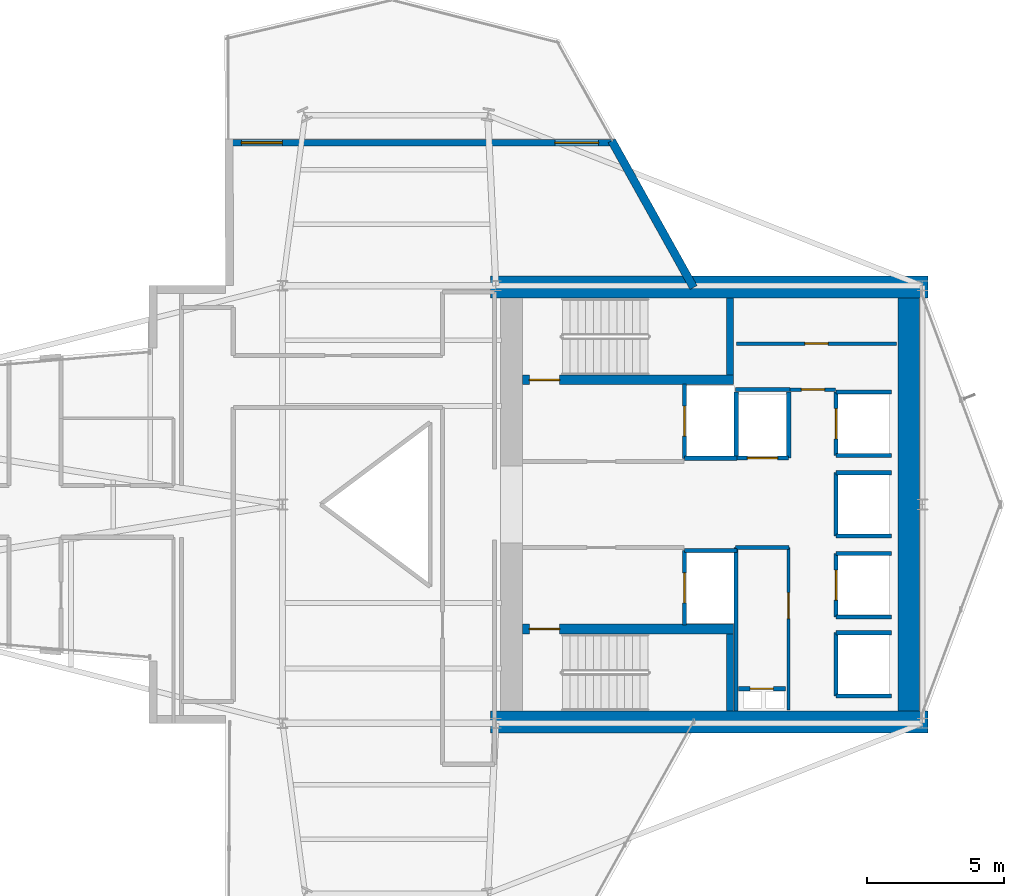
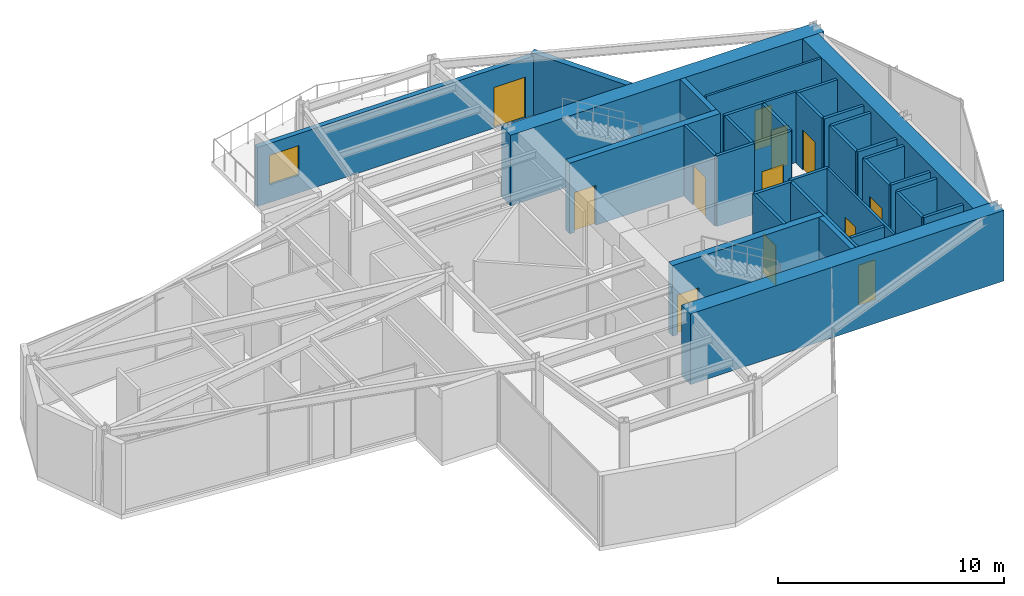
# One storey, part 20 of 23: 35 walls, 12 doors, 1 window, 13 openings.
"""IFC4 building model written with IfcOpenShell, lengths in metres."""

from ifc_helpers import new_model, si_unit, direction, frame, frame_2d, origin, place, context, subcontext, project, spatial, rectangle, extrude, material, layer, layer_set, type_object, element, fill, save


model = new_model("IFC4")

# Units and contexts
model_context = context("Model", 3, precision=1e-05, world=origin(), true_north=direction((0.0, 1.0)))
body_context = subcontext(model_context, "Body", "Model", "MODEL_VIEW")
ifc_project = project(units=[si_unit("LENGTHUNIT", "METRE"), si_unit("AREAUNIT", "SQUARE_METRE"), si_unit("VOLUMEUNIT", "CUBIC_METRE"), si_unit("PLANEANGLEUNIT", "RADIAN"), si_unit("MASSUNIT", "GRAM", prefix="KILO")], contexts=[model_context])

# Site, building, storey
site_placement = place(None, origin())
site = spatial("IfcSite", under=ifc_project, at=site_placement, CompositionType="ELEMENT")
building_placement = place(site_placement, origin())
building = spatial("IfcBuilding", under=site, at=building_placement, Name="Veymaron Broadcast Tower", CompositionType="ELEMENT")
storey_placement = place(building_placement, frame((0.0, 0.0, 161.39990234375)))
storey = spatial("IfcBuildingStorey", under=building, at=storey_placement, Name="L37", CompositionType="ELEMENT", Elevation=161.39990234375)

# Wall, openings, door, window
ifc_material_1 = material(Name="Precast concrete C40/50", Category="concrete")
ifc_layer_1 = layer(ifc_material_1, 0.25)
ifc_layer_set_1 = layer_set([ifc_layer_1], Name="Precast concrete C40/50")
wall_type_1 = type_object("IfcWallType", Name="WALL-EXT-250", PredefinedType="STANDARD", material=ifc_layer_set_1)
wall_1_placement = place(storey_placement, frame((43.35986328125, 37.22607421875, 0.0), z_axis=(0.0, 0.0, 1.0), x_axis=(-1.0, 0.0, 0.0)))
wall_1 = element("IfcWall", 1, at=wall_1_placement, inside=storey, type_object=wall_type_1, Name="L37 sky-terrace threshold wall", PredefinedType="STANDARD", context=body_context, shape_type="SweptSolid", body=[
    extrude(rectangle(XDim=14.260498046875, YDim=0.25, at=frame_2d((7.13037109375, 0.0))), origin(), (0.0, 0.0, 1.0), 3.190185546875),
])
opening_1_placement = place(wall_1_placement, frame((0.60009765625, 0.0, 0.0)))
opening_1 = element("IfcOpeningElement", 2, at=opening_1_placement, cuts=wall_1, Name="Opening ED-TR1", PredefinedType="OPENING", context=body_context, shape_type="SweptSolid", body=[
    extrude(rectangle(XDim=1.60009765625, YDim=2.199951171875, at=frame_2d((0.800048828125, 1.10009765625))), frame((0.0, 0.135009765625, 0.0), z_axis=(0.0, -1.0, 0.0), x_axis=(1.0, 0.0, 0.0)), (0.0, 0.0, 1.0), 0.27001953125),
])
opening_2_placement = place(wall_1_placement, frame((12.160888671875, 0.0, 0.949951171875)))
opening_2 = element("IfcOpeningElement", 3, at=opening_2_placement, cuts=wall_1, Name="Opening WN2", PredefinedType="OPENING", context=body_context, shape_type="SweptSolid", body=[
    extrude(rectangle(XDim=1.5, YDim=1.60009765625, at=frame_2d((0.75, 0.800048828125))), frame((0.0, 0.135009765625, 0.0), z_axis=(0.0, -1.0, 0.0), x_axis=(1.0, 0.0, 0.0)), (0.0, 0.0, 1.0), 0.27001953125),
])
ifc_material_2 = material(Name="Thermally broken aluminium and low-E safety glass", Category="aluminium")
door_type_1 = type_object("IfcDoorType", Name="DOOR-TERR-1600", OperationType="DOUBLE_DOOR_SINGLE_SWING", PredefinedType="DOOR", material=ifc_material_2)
door_1_placement = place(opening_1_placement, frame((1.60009765625, 0.0, 0.0), z_axis=(0.0, 0.0, 1.0), x_axis=(-1.0, 0.0, 0.0)))
door_1 = element("IfcDoor", 4, at=door_1_placement, inside=storey, type_object=door_type_1, Name="L37 sky-terrace access door", OperationType="SINGLE_SWING_LEFT", OverallHeight=2.199951171875, OverallWidth=1.60009765625, PredefinedType="DOOR", context=body_context, shape_type="SweptSolid", body=[
    extrude(rectangle(XDim=1.60009765625, YDim=2.199951171875, at=frame_2d((0.800048828125, 1.10009765625))), frame((0.0, 0.02490234375, 0.0), z_axis=(0.0, -1.0, 0.0), x_axis=(1.0, 0.0, 0.0)), (0.0, 0.0, 1.0), 0.050048828125),
])
fill(opening_1, door_1)
ifc_material_3 = material(Name="Thermally broken aluminium and acoustic laminated glass", Category="aluminium")
window_type = type_object("IfcWindowType", Name="WIN-EXT-1500", PartitioningType="SINGLE_PANEL", PredefinedType="WINDOW", material=ifc_material_3)
window_placement = place(opening_2_placement, origin())
window = element("IfcWindow", 5, at=window_placement, inside=storey, type_object=window_type, Name="L37 sky-terrace viewing window", OverallHeight=1.60009765625, OverallWidth=1.5, PartitioningType="SINGLE_PANEL", PredefinedType="WINDOW", context=body_context, shape_type="SweptSolid", body=[
    extrude(rectangle(XDim=1.5, YDim=1.60009765625, at=frame_2d((0.75, 0.800048828125))), frame((0.0, 0.030029296875, 0.0), z_axis=(0.0, -1.0, 0.0), x_axis=(1.0, 0.0, 0.0)), (0.0, 0.0, 1.0), 0.06005859375),
])
fill(opening_2, window)

# Wall
ifc_material_4 = material(Name="Precast concrete C40/50 with mineral-wool insulation", Category="concrete")
ifc_layer_2 = layer(ifc_material_4, 0.300048828125)
ifc_layer_set_2 = layer_set([ifc_layer_2], Name="Precast concrete C40/50 with mineral-wool insulation")
wall_type_2 = type_object("IfcWallType", Name="WALL-EXT-300", PredefinedType="STANDARD", material=ifc_layer_set_2)
wall_2_placement = place(storey_placement, frame((46.2314453125, 31.931884765625, 0.0), z_axis=(0.0, 0.0, 1.0), x_axis=(-0.487234407079, 0.873271225083, 0.0)))
element("IfcWall", 6, at=wall_2_placement, inside=storey, type_object=wall_type_2, Name="L37 notched corner facade pier 6-1", PredefinedType="STANDARD", context=body_context, shape_type="SweptSolid", body=[
    extrude(rectangle(XDim=6.144775390625, YDim=0.300048828125, at=frame_2d((3.072265625, 0.0))), origin(), (0.0, 0.0, 1.0), 3.338134765625),
])

# Wall, opening, door
ifc_material_5 = material(Name="Gypsum fireboard and steel stud framing", Category="steel")
ifc_layer_3 = layer(ifc_material_5, 0.14990234375)
ifc_layer_set_3 = layer_set([ifc_layer_3], Name="Gypsum fireboard and steel stud framing")
wall_type_3 = type_object("IfcWallType", Name="WALL-FIRE-150", PredefinedType="PARTITIONING", material=ifc_layer_set_3)
wall_3_placement = place(storey_placement, frame((45.89501953125, 25.68994140625, 0.0), z_axis=(0.0, 0.0, 1.0), x_axis=(0.0, 1.0, 0.0)))
wall_3 = element("IfcWall", 7, at=wall_3_placement, inside=storey, type_object=wall_type_3, Name="L37 partition IW-L37-SHW-FFL-1", PredefinedType="PARTITIONING", context=body_context, shape_type="SweptSolid", body=[
    extrude(rectangle(XDim=2.719970703125, YDim=0.14990234375, at=frame_2d((1.35986328125, 0.0))), origin(), (0.0, 0.0, 1.0), 3.81005859375),
])
opening_3_placement = place(wall_3_placement, frame((0.81005859375, 0.0, 0.0)))
opening_3 = element("IfcOpeningElement", 8, at=opening_3_placement, cuts=wall_3, Name="Opening LD", PredefinedType="OPENING", context=body_context, shape_type="SweptSolid", body=[
    extrude(rectangle(XDim=1.10009765625, YDim=2.14990234375, at=frame_2d((0.550048828125, 1.074951171875))), frame((0.0, 0.0849609375, 0.0), z_axis=(0.0, -1.0, 0.0), x_axis=(1.0, 0.0, 0.0)), (0.0, 0.0, 1.0), 0.169921875),
])
ifc_material_6 = material(Name="Brushed stainless steel AISI 304", Category="steel")
door_type_2 = type_object("IfcDoorType", Name="DOOR-LIFT-1100", OperationType="DOUBLE_DOOR_SLIDING", PredefinedType="DOOR", material=ifc_material_6)
door_2_placement = place(opening_3_placement, frame((1.10009765625, 0.0, 0.0), z_axis=(0.0, 0.0, 1.0), x_axis=(-1.0, 0.0, 0.0)))
door_2 = element("IfcDoor", 9, at=door_2_placement, inside=storey, type_object=door_type_2, Name="L37 door LD-L37-FFL-1", OperationType="DOUBLE_DOOR_SLIDING", OverallHeight=2.14990234375, OverallWidth=1.10009765625, PredefinedType="DOOR", context=body_context, shape_type="SweptSolid", body=[
    extrude(rectangle(XDim=1.10009765625, YDim=2.14990234375, at=frame_2d((0.550048828125, 1.074951171875))), frame((0.0, 0.02490234375, 0.0), z_axis=(0.0, -1.0, 0.0), x_axis=(1.0, 0.0, 0.0)), (0.0, 0.0, 1.0), 0.050048828125),
])
fill(opening_3, door_2)

# Wall
wall_4_placement = place(storey_placement, frame((45.89501953125, 25.68994140625, 0.0), z_axis=(0.0, 0.0, 1.0), x_axis=(1.0, 0.0, 0.0)))
element("IfcWall", 10, at=wall_4_placement, inside=storey, type_object=wall_type_3, Name="L37 partition IW-L37-SHS-FFL-1", PredefinedType="PARTITIONING", context=body_context, shape_type="SweptSolid", body=[
    extrude(rectangle(XDim=1.9150390625, YDim=0.14990234375, at=frame_2d((0.95751953125, 0.0))), origin(), (0.0, 0.0, 1.0), 3.81005859375),
])

# Wall, opening, door
wall_5_placement = place(storey_placement, frame((45.89501953125, 19.590087890625, 0.0), z_axis=(0.0, 0.0, 1.0), x_axis=(0.0, 1.0, 0.0)))
wall_5 = element("IfcWall", 11, at=wall_5_placement, inside=storey, type_object=wall_type_3, Name="L37 partition IW-L37-SHW-FFL-2", PredefinedType="PARTITIONING", context=body_context, shape_type="SweptSolid", body=[
    extrude(rectangle(XDim=2.719970703125, YDim=0.14990234375, at=frame_2d((1.35986328125, 0.0))), origin(), (0.0, 0.0, 1.0), 3.81005859375),
])
opening_4_placement = place(wall_5_placement, frame((0.81005859375, 0.0, 0.0)))
opening_4 = element("IfcOpeningElement", 12, at=opening_4_placement, cuts=wall_5, Name="Opening LD", PredefinedType="OPENING", context=body_context, shape_type="SweptSolid", body=[
    extrude(rectangle(XDim=1.10009765625, YDim=2.14990234375, at=frame_2d((0.550048828125, 1.074951171875))), frame((0.0, 0.0849609375, 0.0), z_axis=(0.0, -1.0, 0.0), x_axis=(1.0, 0.0, 0.0)), (0.0, 0.0, 1.0), 0.169921875),
])
door_3_placement = place(opening_4_placement, frame((1.10009765625, 0.0, 0.0), z_axis=(0.0, 0.0, 1.0), x_axis=(-1.0, 0.0, 0.0)))
door_3 = element("IfcDoor", 13, at=door_3_placement, inside=storey, type_object=door_type_2, Name="L37 door LD-L37-FFL-2", OperationType="DOUBLE_DOOR_SLIDING", OverallHeight=2.14990234375, OverallWidth=1.10009765625, PredefinedType="DOOR", context=body_context, shape_type="SweptSolid", body=[
    extrude(rectangle(XDim=1.10009765625, YDim=2.14990234375, at=frame_2d((0.550048828125, 1.074951171875))), frame((0.0, 0.02490234375, 0.0), z_axis=(0.0, -1.0, 0.0), x_axis=(1.0, 0.0, 0.0)), (0.0, 0.0, 1.0), 0.050048828125),
])
fill(opening_4, door_3)

# Wall
wall_6_placement = place(storey_placement, frame((45.89501953125, 22.31005859375, 0.0), z_axis=(0.0, 0.0, 1.0), x_axis=(1.0, 0.0, 0.0)))
element("IfcWall", 14, at=wall_6_placement, inside=storey, type_object=wall_type_3, Name="L37 partition IW-L37-SHN-FFL-2", PredefinedType="PARTITIONING", context=body_context, shape_type="SweptSolid", body=[
    extrude(rectangle(XDim=1.9150390625, YDim=0.14990234375, at=frame_2d((0.95751953125, 0.0))), origin(), (0.0, 0.0, 1.0), 3.81005859375),
])

# Wall, opening, door
wall_7_placement = place(storey_placement, frame((47.7900390625, 25.695068359375, 0.0), z_axis=(0.0, 0.0, 1.0), x_axis=(1.0, 0.0, 0.0)))
wall_7 = element("IfcWall", 15, at=wall_7_placement, inside=storey, type_object=wall_type_3, Name="L37 partition IW-L37-SHS-SL-1", PredefinedType="PARTITIONING", context=body_context, shape_type="SweptSolid", body=[
    extrude(rectangle(XDim=1.919921875, YDim=0.14990234375, at=frame_2d((0.9599609375, 0.0))), origin(), (0.0, 0.0, 1.0), 3.81005859375),
])
opening_5_placement = place(wall_7_placement, frame((0.409912109375, 0.0, 0.0)))
opening_5 = element("IfcOpeningElement", 16, at=opening_5_placement, cuts=wall_7, Name="Opening LD", PredefinedType="OPENING", context=body_context, shape_type="SweptSolid", body=[
    extrude(rectangle(XDim=1.10009765625, YDim=2.14990234375, at=frame_2d((0.550048828125, 1.074951171875))), frame((0.0, 0.0849609375, 0.0), z_axis=(0.0, -1.0, 0.0), x_axis=(1.0, 0.0, 0.0)), (0.0, 0.0, 1.0), 0.169921875),
])
door_4_placement = place(opening_5_placement, frame((1.10009765625, 0.0, 0.0), z_axis=(0.0, 0.0, 1.0), x_axis=(-1.0, 0.0, 0.0)))
door_4 = element("IfcDoor", 17, at=door_4_placement, inside=storey, type_object=door_type_2, Name="L37 door LD-L37-SL-1", OperationType="DOUBLE_DOOR_SLIDING", OverallHeight=2.14990234375, OverallWidth=1.10009765625, PredefinedType="DOOR", context=body_context, shape_type="SweptSolid", body=[
    extrude(rectangle(XDim=1.10009765625, YDim=2.14990234375, at=frame_2d((0.550048828125, 1.074951171875))), frame((0.0, 0.02490234375, 0.0), z_axis=(0.0, -1.0, 0.0), x_axis=(1.0, 0.0, 0.0)), (0.0, 0.0, 1.0), 0.050048828125),
])
fill(opening_5, door_4)

# Walls
for number, where, z_axis, x_axis, name in (
    (18, (47.7900390625, 25.695068359375, 0.0), (0.0, 0.0, 1.0), (0.0, 1.0, 0.0), "L37 partition IW-L37-SHW-SL-1"),
    (19, (49.7099609375, 25.695068359375, 0.0), (0.0, 0.0, 1.0), (0.0, 1.0, 0.0), "L37 partition IW-L37-SHE-SL-1"),
):
    element("IfcWall", number, at=place(storey_placement, frame(where, z_axis=z_axis, x_axis=x_axis)), inside=storey, type_object=wall_type_3, Name=name, PredefinedType="PARTITIONING", context=body_context, shape_type="SweptSolid", body=[
        extrude(rectangle(XDim=2.4150390625, YDim=0.14990234375, at=frame_2d((1.20751953125, 0.0))), origin(), (0.0, 0.0, 1.0), 3.81005859375),
    ])

# Wall, opening, door
wall_8_placement = place(storey_placement, frame((51.445068359375, 25.7900390625, 0.0), z_axis=(0.0, 0.0, 1.0), x_axis=(0.0, 1.0, 0.0)))
wall_8 = element("IfcWall", 20, at=wall_8_placement, inside=storey, type_object=wall_type_3, Name="L37 partition IW-L37-SHW-PM1", PredefinedType="PARTITIONING", context=body_context, shape_type="SweptSolid", body=[
    extrude(rectangle(XDim=2.320068359375, YDim=0.14990234375, at=frame_2d((1.16015625, 0.0))), origin(), (0.0, 0.0, 1.0), 3.81005859375),
])
opening_6_placement = place(wall_8_placement, frame((0.610107421875, 0.0, 0.0)))
opening_6 = element("IfcOpeningElement", 21, at=opening_6_placement, cuts=wall_8, Name="Opening LD", PredefinedType="OPENING", context=body_context, shape_type="SweptSolid", body=[
    extrude(rectangle(XDim=1.10009765625, YDim=2.14990234375, at=frame_2d((0.550048828125, 1.074951171875))), frame((0.0, 0.0849609375, 0.0), z_axis=(0.0, -1.0, 0.0), x_axis=(1.0, 0.0, 0.0)), (0.0, 0.0, 1.0), 0.169921875),
])
door_5_placement = place(opening_6_placement, frame((1.10009765625, 0.0, 0.0), z_axis=(0.0, 0.0, 1.0), x_axis=(-1.0, 0.0, 0.0)))
door_5 = element("IfcDoor", 22, at=door_5_placement, inside=storey, type_object=door_type_2, Name="L37 door LD-L37-PM1", OperationType="DOUBLE_DOOR_SLIDING", OverallHeight=2.14990234375, OverallWidth=1.10009765625, PredefinedType="DOOR", context=body_context, shape_type="SweptSolid", body=[
    extrude(rectangle(XDim=1.10009765625, YDim=2.14990234375, at=frame_2d((0.550048828125, 1.074951171875))), frame((0.0, 0.02490234375, 0.0), z_axis=(0.0, -1.0, 0.0), x_axis=(1.0, 0.0, 0.0)), (0.0, 0.0, 1.0), 0.050048828125),
])
fill(opening_6, door_5)

# Walls
for number, where, z_axis, x_axis, name in (
    (23, (51.445068359375, 25.7900390625, 0.0), (0.0, 0.0, 1.0), (1.0, 0.0, 0.0), "L37 partition IW-L37-SHS-PM1"),
    (24, (51.445068359375, 28.110107421875, 0.0), (0.0, 0.0, 1.0), (1.0, 0.0, 0.0), "L37 partition IW-L37-SHN-PM1"),
):
    element("IfcWall", number, at=place(storey_placement, frame(where, z_axis=z_axis, x_axis=x_axis)), inside=storey, type_object=wall_type_3, Name=name, PredefinedType="PARTITIONING", context=body_context, shape_type="SweptSolid", body=[
        extrude(rectangle(XDim=2.014892578125, YDim=0.14990234375, at=frame_2d((1.00732421875, 0.0))), origin(), (0.0, 0.0, 1.0), 3.81005859375),
    ])

# Wall, opening, door
wall_9_placement = place(storey_placement, frame((51.445068359375, 19.889892578125, 0.0), z_axis=(0.0, 0.0, 1.0), x_axis=(0.0, 1.0, 0.0)))
wall_9 = element("IfcWall", 25, at=wall_9_placement, inside=storey, type_object=wall_type_3, Name="L37 partition IW-L37-SHW-PM2", PredefinedType="PARTITIONING", context=body_context, shape_type="SweptSolid", body=[
    extrude(rectangle(XDim=2.320068359375, YDim=0.14990234375, at=frame_2d((1.16015625, 0.0))), origin(), (0.0, 0.0, 1.0), 3.81005859375),
])
opening_7_placement = place(wall_9_placement, frame((0.610107421875, 0.0, 0.0)))
opening_7 = element("IfcOpeningElement", 26, at=opening_7_placement, cuts=wall_9, Name="Opening LD", PredefinedType="OPENING", context=body_context, shape_type="SweptSolid", body=[
    extrude(rectangle(XDim=1.10009765625, YDim=2.14990234375, at=frame_2d((0.550048828125, 1.074951171875))), frame((0.0, 0.0849609375, 0.0), z_axis=(0.0, -1.0, 0.0), x_axis=(1.0, 0.0, 0.0)), (0.0, 0.0, 1.0), 0.169921875),
])
door_6_placement = place(opening_7_placement, frame((1.10009765625, 0.0, 0.0), z_axis=(0.0, 0.0, 1.0), x_axis=(-1.0, 0.0, 0.0)))
door_6 = element("IfcDoor", 27, at=door_6_placement, inside=storey, type_object=door_type_2, Name="L37 door LD-L37-PM2", OperationType="DOUBLE_DOOR_SLIDING", OverallHeight=2.14990234375, OverallWidth=1.10009765625, PredefinedType="DOOR", context=body_context, shape_type="SweptSolid", body=[
    extrude(rectangle(XDim=1.10009765625, YDim=2.14990234375, at=frame_2d((0.550048828125, 1.074951171875))), frame((0.0, 0.02490234375, 0.0), z_axis=(0.0, -1.0, 0.0), x_axis=(1.0, 0.0, 0.0)), (0.0, 0.0, 1.0), 0.050048828125),
])
fill(opening_7, door_6)

# Walls
for number, where, z_axis, x_axis, name in (
    (28, (51.445068359375, 19.889892578125, 0.0), (0.0, 0.0, 1.0), (1.0, 0.0, 0.0), "L37 partition IW-L37-SHS-PM2"),
    (29, (51.445068359375, 22.2099609375, 0.0), (0.0, 0.0, 1.0), (1.0, 0.0, 0.0), "L37 partition IW-L37-SHN-PM2"),
):
    element("IfcWall", number, at=place(storey_placement, frame(where, z_axis=z_axis, x_axis=x_axis)), inside=storey, type_object=wall_type_3, Name=name, PredefinedType="PARTITIONING", context=body_context, shape_type="SweptSolid", body=[
        extrude(rectangle(XDim=2.014892578125, YDim=0.14990234375, at=frame_2d((1.00732421875, 0.0))), origin(), (0.0, 0.0, 1.0), 3.81005859375),
    ])
wall_10_placement = place(storey_placement, frame((51.445068359375, 22.840087890625, 0.0), z_axis=(0.0, 0.0, 1.0), x_axis=(0.0, 1.0, 0.0)))
element("IfcWall", 30, at=wall_10_placement, inside=storey, type_object=wall_type_3, Name="L37 partition IW-L37-SHW-PM3", PredefinedType="PARTITIONING", context=body_context, shape_type="SweptSolid", body=[
    extrude(rectangle(XDim=2.31982421875, YDim=0.14990234375, at=frame_2d((1.159912109375, 0.0))), origin(), (0.0, 0.0, 1.0), 3.81005859375),
])
for number, where, z_axis, x_axis, name in (
    (31, (51.445068359375, 22.840087890625, 0.0), (0.0, 0.0, 1.0), (1.0, 0.0, 0.0), "L37 partition IW-L37-SHS-PM3"),
    (32, (51.445068359375, 25.159912109375, 0.0), (0.0, 0.0, 1.0), (1.0, 0.0, 0.0), "L37 partition IW-L37-SHN-PM3"),
):
    element("IfcWall", number, at=place(storey_placement, frame(where, z_axis=z_axis, x_axis=x_axis)), inside=storey, type_object=wall_type_3, Name=name, PredefinedType="PARTITIONING", context=body_context, shape_type="SweptSolid", body=[
        extrude(rectangle(XDim=2.014892578125, YDim=0.14990234375, at=frame_2d((1.00732421875, 0.0))), origin(), (0.0, 0.0, 1.0), 3.81005859375),
    ])
wall_11_placement = place(storey_placement, frame((51.445068359375, 16.989990234375, 0.0), z_axis=(0.0, 0.0, 1.0), x_axis=(0.0, 1.0, 0.0)))
element("IfcWall", 33, at=wall_11_placement, inside=storey, type_object=wall_type_3, Name="L37 partition IW-L37-SHW-PH1", PredefinedType="PARTITIONING", context=body_context, shape_type="SweptSolid", body=[
    extrude(rectangle(XDim=2.320068359375, YDim=0.14990234375, at=frame_2d((1.16015625, 0.0))), origin(), (0.0, 0.0, 1.0), 3.81005859375),
])
for number, where, z_axis, x_axis, name in (
    (34, (51.445068359375, 16.989990234375, 0.0), (0.0, 0.0, 1.0), (1.0, 0.0, 0.0), "L37 partition IW-L37-SHS-PH1"),
    (35, (51.445068359375, 19.31005859375, 0.0), (0.0, 0.0, 1.0), (1.0, 0.0, 0.0), "L37 partition IW-L37-SHN-PH1"),
):
    element("IfcWall", number, at=place(storey_placement, frame(where, z_axis=z_axis, x_axis=x_axis)), inside=storey, type_object=wall_type_3, Name=name, PredefinedType="PARTITIONING", context=body_context, shape_type="SweptSolid", body=[
        extrude(rectangle(XDim=2.014892578125, YDim=0.14990234375, at=frame_2d((1.00732421875, 0.0))), origin(), (0.0, 0.0, 1.0), 3.81005859375),
    ])

# Wall, opening, door
wall_12_placement = place(storey_placement, frame((47.8798828125, 17.260009765625, 0.0), z_axis=(0.0, 0.0, 1.0), x_axis=(1.0, 0.0, 0.0)))
wall_12 = element("IfcWall", 36, at=wall_12_placement, inside=storey, type_object=wall_type_3, Name="L37 partition IW-L37-RIS-N", PredefinedType="PARTITIONING", context=body_context, shape_type="SweptSolid", body=[
    extrude(rectangle(XDim=1.72021484375, YDim=0.14990234375, at=frame_2d((0.860107421875, 0.0))), origin(), (0.0, 0.0, 1.0), 3.81005859375),
])
opening_8_placement = place(wall_12_placement, frame((0.419921875, 0.0, 0.0)))
opening_8 = element("IfcOpeningElement", 37, at=opening_8_placement, cuts=wall_12, Name="Opening ID-RS1", PredefinedType="OPENING", context=body_context, shape_type="SweptSolid", body=[
    extrude(rectangle(XDim=0.85009765625, YDim=2.14990234375, at=frame_2d((0.425048828125, 1.074951171875))), frame((0.0, 0.0849609375, 0.0), z_axis=(0.0, -1.0, 0.0), x_axis=(1.0, 0.0, 0.0)), (0.0, 0.0, 1.0), 0.169921875),
])
ifc_material_7 = material(Name="Fire-rated powder-coated steel riser leaf", Category="steel")
door_type_3 = type_object("IfcDoorType", Name="DOOR-RIS-850", OperationType="NOTDEFINED", PredefinedType="TRAPDOOR", material=ifc_material_7)
door_7_placement = place(opening_8_placement, origin())
door_7 = element("IfcDoor", 38, at=door_7_placement, inside=storey, type_object=door_type_3, Name="L37 door DR-L37-RIS", OperationType="SINGLE_SWING_LEFT", OverallHeight=2.14990234375, OverallWidth=0.85009765625, PredefinedType="TRAPDOOR", context=body_context, shape_type="SweptSolid", body=[
    extrude(rectangle(XDim=0.85009765625, YDim=2.14990234375, at=frame_2d((0.425048828125, 1.074951171875))), frame((0.0, 0.02490234375, 0.0), z_axis=(0.0, -1.0, 0.0), x_axis=(1.0, 0.0, 0.0)), (0.0, 0.0, 1.0), 0.050048828125),
])
fill(opening_8, door_7)

# Walls
wall_13_placement = place(storey_placement, frame((47.760009765625, 22.425048828125, 0.0), z_axis=(0.0, 0.0, 1.0), x_axis=(1.0, 0.0, 0.0)))
element("IfcWall", 39, at=wall_13_placement, inside=storey, type_object=wall_type_3, Name="L37 partition IW-L37-SM-N", PredefinedType="PARTITIONING", context=body_context, shape_type="SweptSolid", body=[
    extrude(rectangle(XDim=1.9599609375, YDim=0.14990234375, at=frame_2d((0.97998046875, 0.0))), origin(), (0.0, 0.0, 1.0), 3.81005859375),
])
wall_14_placement = place(storey_placement, frame((47.780029296875, 16.449951171875, 0.0), z_axis=(0.0, 0.0, 1.0), x_axis=(0.0, 1.0, 0.0)))
element("IfcWall", 40, at=wall_14_placement, inside=storey, type_object=wall_type_3, Name="L37 partition IW-L37-SM-W", PredefinedType="PARTITIONING", context=body_context, shape_type="SweptSolid", body=[
    extrude(rectangle(XDim=5.97509765625, YDim=0.14990234375, at=frame_2d((2.987548828125, 0.0))), origin(), (0.0, 0.0, 1.0), 3.81005859375),
])
wall_15_placement = place(storey_placement, frame((47.760009765625, 28.199951171875, 0.0), z_axis=(0.0, 0.0, 1.0), x_axis=(1.0, 0.0, 0.0)))
element("IfcWall", 41, at=wall_15_placement, inside=storey, type_object=wall_type_3, Name="L37 partition IW-L37-F1-SW", PredefinedType="PARTITIONING", context=body_context, shape_type="SweptSolid", body=[
    extrude(rectangle(XDim=1.989990234375, YDim=0.14990234375, at=frame_2d((0.9951171875, 0.0))), origin(), (0.0, 0.0, 1.0), 3.81005859375),
])

# Wall, opening, door
ifc_material_8 = material(Name="Acoustic gypsum board and galvanized stud", Category="gypsum")
ifc_layer_4 = layer(ifc_material_8, 0.1201171875)
ifc_layer_set_4 = layer_set([ifc_layer_4], Name="Acoustic gypsum board and galvanized stud")
wall_type_4 = type_object("IfcWallType", Name="WALL-PART-120", PredefinedType="PARTITIONING", material=ifc_layer_set_4)
wall_16_placement = place(storey_placement, frame((49.699951171875, 16.47998046875, 0.0), z_axis=(0.0, 0.0, 1.0), x_axis=(0.0, 1.0, 0.0)))
wall_16 = element("IfcWall", 42, at=wall_16_placement, inside=storey, type_object=wall_type_4, Name="L37 partition IW-L37-SM-E", PredefinedType="PARTITIONING", context=body_context, shape_type="SweptSolid", body=[
    extrude(rectangle(XDim=5.945068359375, YDim=0.1201171875, at=frame_2d((2.97265625, 0.0))), origin(), (0.0, 0.0, 1.0), 3.81005859375),
])
opening_9_placement = place(wall_16_placement, frame((3.35009765625, 0.0, 0.0)))
opening_9 = element("IfcOpeningElement", 43, at=opening_9_placement, cuts=wall_16, Name="Opening ID-RM1", PredefinedType="OPENING", context=body_context, shape_type="SweptSolid", body=[
    extrude(rectangle(XDim=0.949951171875, YDim=2.14990234375, at=frame_2d((0.47509765625, 1.074951171875))), frame((0.0, 0.070068359375, 0.0), z_axis=(0.0, -1.0, 0.0), x_axis=(1.0, 0.0, 0.0)), (0.0, 0.0, 1.0), 0.14013671875),
])
ifc_material_9 = material(Name="Acoustic solid-core European oak veneer timber", Category="wood")
door_type_4 = type_object("IfcDoorType", Name="DOOR-INT-950", OperationType="NOTDEFINED", PredefinedType="DOOR", material=ifc_material_9)
door_8_placement = place(opening_9_placement, frame((0.949951171875, 0.0, 0.0), z_axis=(0.0, 0.0, 1.0), x_axis=(-1.0, 0.0, 0.0)))
door_8 = element("IfcDoor", 44, at=door_8_placement, inside=storey, type_object=door_type_4, Name="L37 door DR-L37-AWC", OperationType="SINGLE_SWING_LEFT", OverallHeight=2.14990234375, OverallWidth=0.949951171875, PredefinedType="DOOR", context=body_context, shape_type="SweptSolid", body=[
    extrude(rectangle(XDim=0.949951171875, YDim=2.14990234375, at=frame_2d((0.47509765625, 1.074951171875))), frame((0.0, 0.02490234375, 0.0), z_axis=(0.0, -1.0, 0.0), x_axis=(1.0, 0.0, 0.0)), (0.0, 0.0, 1.0), 0.050048828125),
])
fill(opening_9, door_8)

wall_17_placement = place(storey_placement, frame((49.75, 28.199951171875, 0.0), z_axis=(0.0, 0.0, 1.0), x_axis=(1.0, 0.0, 0.0)))
wall_17 = element("IfcWall", 45, at=wall_17_placement, inside=storey, type_object=wall_type_4, Name="L37 partition IW-L37-F1-S", PredefinedType="PARTITIONING", context=body_context, shape_type="SweptSolid", body=[
    extrude(rectangle(XDim=1.669921875, YDim=0.1201171875, at=frame_2d((0.8349609375, 0.0))), origin(), (0.0, 0.0, 1.0), 3.81005859375),
])
opening_10_placement = place(wall_17_placement, frame((0.419921875, 0.0, 0.0)))
opening_10 = element("IfcOpeningElement", 46, at=opening_10_placement, cuts=wall_17, Name="Opening ID-WC1", PredefinedType="OPENING", context=body_context, shape_type="SweptSolid", body=[
    extrude(rectangle(XDim=0.85009765625, YDim=2.14990234375, at=frame_2d((0.425048828125, 1.074951171875))), frame((0.0, 0.070068359375, 0.0), z_axis=(0.0, -1.0, 0.0), x_axis=(1.0, 0.0, 0.0)), (0.0, 0.0, 1.0), 0.14013671875),
])
ifc_material_10 = material(Name="Moisture-resistant high-pressure laminate timber", Category="wood")
door_type_5 = type_object("IfcDoorType", Name="DOOR-INT-850", OperationType="NOTDEFINED", PredefinedType="DOOR", material=ifc_material_10)
door_9_placement = place(opening_10_placement, origin())
door_9 = element("IfcDoor", 47, at=door_9_placement, inside=storey, type_object=door_type_5, Name="L37 door DR-L37-F1A", OperationType="SINGLE_SWING_LEFT", OverallHeight=2.14990234375, OverallWidth=0.85009765625, PredefinedType="DOOR", context=body_context, shape_type="SweptSolid", body=[
    extrude(rectangle(XDim=0.85009765625, YDim=2.14990234375, at=frame_2d((0.425048828125, 1.074951171875))), frame((0.0, 0.02490234375, 0.0), z_axis=(0.0, -1.0, 0.0), x_axis=(1.0, 0.0, 0.0)), (0.0, 0.0, 1.0), 0.050048828125),
])
fill(opening_10, door_9)

wall_18_placement = place(storey_placement, frame((47.800048828125, 29.8798828125, 0.0), z_axis=(0.0, 0.0, 1.0), x_axis=(1.0, 0.0, 0.0)))
wall_18 = element("IfcWall", 48, at=wall_18_placement, inside=storey, type_object=wall_type_4, Name="L37 partition IW-L37-F1-MY", PredefinedType="PARTITIONING", context=body_context, shape_type="SweptSolid", body=[
    extrude(rectangle(XDim=5.85986328125, YDim=0.1201171875, at=frame_2d((2.929931640625, 0.0))), origin(), (0.0, 0.0, 1.0), 3.81005859375),
])
opening_11_placement = place(wall_18_placement, frame((2.5, 0.0, 0.0)))
opening_11 = element("IfcOpeningElement", 49, at=opening_11_placement, cuts=wall_18, Name="Opening ID-WC1", PredefinedType="OPENING", context=body_context, shape_type="SweptSolid", body=[
    extrude(rectangle(XDim=0.85009765625, YDim=2.14990234375, at=frame_2d((0.425048828125, 1.074951171875))), frame((0.0, 0.070068359375, 0.0), z_axis=(0.0, -1.0, 0.0), x_axis=(1.0, 0.0, 0.0)), (0.0, 0.0, 1.0), 0.14013671875),
])
door_10_placement = place(opening_11_placement, origin())
door_10 = element("IfcDoor", 50, at=door_10_placement, inside=storey, type_object=door_type_5, Name="L37 door DR-L37-F1B", OperationType="SINGLE_SWING_RIGHT", OverallHeight=2.14990234375, OverallWidth=0.85009765625, PredefinedType="DOOR", context=body_context, shape_type="SweptSolid", body=[
    extrude(rectangle(XDim=0.85009765625, YDim=2.14990234375, at=frame_2d((0.425048828125, 1.074951171875))), frame((0.0, 0.02490234375, 0.0), z_axis=(0.0, -1.0, 0.0), x_axis=(1.0, 0.0, 0.0)), (0.0, 0.0, 1.0), 0.050048828125),
])
fill(opening_11, door_10)

# Walls
ifc_material_11 = material(Name="Concrete C50/60", Category="concrete")
ifc_layer_5 = layer(ifc_material_11, 0.25)
ifc_layer_set_5 = layer_set([ifc_layer_5], Name="Concrete C50/60")
wall_type_5 = type_object("IfcWallType", Name="WALL-SHEAR-250", PredefinedType="SHEAR", material=ifc_layer_set_5)
for number, where, z_axis, x_axis, name in (
    (51, (47.56494140625, 28.72998046875, 0.0), (0.0, 0.0, 1.0), (0.0, 1.0, 0.0), "L37 Core Wall north stair east shear"),
    (52, (47.56494140625, 16.449951171875, 0.0), (0.0, 0.0, 1.0), (0.0, 1.0, 0.0), "L37 Core Wall south stair east shear"),
):
    element("IfcWall", number, at=place(storey_placement, frame(where, z_axis=z_axis, x_axis=x_axis)), inside=storey, type_object=wall_type_5, Name=name, PredefinedType="SHEAR", context=body_context, shape_type="SweptSolid", body=[
        extrude(rectangle(XDim=2.820068359375, YDim=0.25, at=frame_2d((1.41015625, 0.0))), origin(), (0.0, 0.0, 1.0), 3.81005859375),
    ])

# Wall, opening, door
ifc_layer_6 = layer(ifc_material_11, 0.35009765625)
ifc_layer_set_6 = layer_set([ifc_layer_6], Name="Concrete C50/60")
wall_type_6 = type_object("IfcWallType", Name="WALL-SHEAR-350", PredefinedType="SHEAR", material=ifc_layer_set_6)
wall_19_placement = place(storey_placement, frame((39.97998046875, 28.554931640625, 0.0), z_axis=(0.0, 0.0, 1.0), x_axis=(1.0, 0.0, 0.0)))
wall_19 = element("IfcWall", 53, at=wall_19_placement, inside=storey, type_object=wall_type_6, Name="L37 Core Wall north stair spine", PredefinedType="SHEAR", context=body_context, shape_type="SweptSolid", body=[
    extrude(rectangle(XDim=7.7099609375, YDim=0.35009765625, at=frame_2d((3.85498046875, 0.0))), origin(), (0.0, 0.0, 1.0), 3.81005859375),
])
opening_12_placement = place(wall_19_placement, frame((0.25, 0.0, 0.0)))
opening_12 = element("IfcOpeningElement", 54, at=opening_12_placement, cuts=wall_19, Name="Opening ID-ST1", PredefinedType="OPENING", context=body_context, shape_type="SweptSolid", body=[
    extrude(rectangle(XDim=1.10009765625, YDim=2.14990234375, at=frame_2d((0.550048828125, 1.074951171875))), frame((0.0, 0.18505859375, 0.0), z_axis=(0.0, -1.0, 0.0), x_axis=(1.0, 0.0, 0.0)), (0.0, 0.0, 1.0), 0.3701171875),
])
ifc_material_12 = material(Name="Fire-rated painted hollow steel ASTM A653", Category="steel")
door_type_6 = type_object("IfcDoorType", Name="DOOR-STAIR-1100", OperationType="NOTDEFINED", PredefinedType="DOOR", material=ifc_material_12)
door_11_placement = place(opening_12_placement, origin())
door_11 = element("IfcDoor", 55, at=door_11_placement, inside=storey, type_object=door_type_6, Name="L37 exit stair ST1 fire door", OperationType="SINGLE_SWING_RIGHT", OverallHeight=2.14990234375, OverallWidth=1.10009765625, PredefinedType="DOOR", context=body_context, shape_type="SweptSolid", body=[
    extrude(rectangle(XDim=1.10009765625, YDim=2.14990234375, at=frame_2d((0.550048828125, 1.074951171875))), frame((0.0, 0.02490234375, 0.0), z_axis=(0.0, -1.0, 0.0), x_axis=(1.0, 0.0, 0.0)), (0.0, 0.0, 1.0), 0.050048828125),
])
fill(opening_12, door_11)

wall_20_placement = place(storey_placement, frame((39.97998046875, 19.445068359375, 0.0), z_axis=(0.0, 0.0, 1.0), x_axis=(1.0, 0.0, 0.0)))
wall_20 = element("IfcWall", 56, at=wall_20_placement, inside=storey, type_object=wall_type_6, Name="L37 Core Wall south stair spine", PredefinedType="SHEAR", context=body_context, shape_type="SweptSolid", body=[
    extrude(rectangle(XDim=7.7099609375, YDim=0.35009765625, at=frame_2d((3.85498046875, 0.0))), origin(), (0.0, 0.0, 1.0), 3.81005859375),
])
opening_13_placement = place(wall_20_placement, frame((0.25, 0.0, 0.0)))
opening_13 = element("IfcOpeningElement", 57, at=opening_13_placement, cuts=wall_20, Name="Opening ID-ST1", PredefinedType="OPENING", context=body_context, shape_type="SweptSolid", body=[
    extrude(rectangle(XDim=1.10009765625, YDim=2.14990234375, at=frame_2d((0.550048828125, 1.074951171875))), frame((0.0, 0.18505859375, 0.0), z_axis=(0.0, -1.0, 0.0), x_axis=(1.0, 0.0, 0.0)), (0.0, 0.0, 1.0), 0.3701171875),
])
door_12_placement = place(opening_13_placement, frame((1.10009765625, 0.0, 0.0), z_axis=(0.0, 0.0, 1.0), x_axis=(-1.0, 0.0, 0.0)))
door_12 = element("IfcDoor", 58, at=door_12_placement, inside=storey, type_object=door_type_6, Name="L37 exit stair ST2 fire door", OperationType="SINGLE_SWING_LEFT", OverallHeight=2.14990234375, OverallWidth=1.10009765625, PredefinedType="DOOR", context=body_context, shape_type="SweptSolid", body=[
    extrude(rectangle(XDim=1.10009765625, YDim=2.14990234375, at=frame_2d((0.550048828125, 1.074951171875))), frame((0.0, 0.02490234375, 0.0), z_axis=(0.0, -1.0, 0.0), x_axis=(1.0, 0.0, 0.0)), (0.0, 0.0, 1.0), 0.050048828125),
])
fill(opening_13, door_12)

# Walls
ifc_material_13 = material(Name="Concrete C60/75", Category="concrete")
ifc_layer_7 = layer(ifc_material_13, 0.800048828125)
ifc_layer_set_7 = layer_set([ifc_layer_7], Name="Concrete C60/75")
wall_type_7 = type_object("IfcWallType", Name="WALL-SHEAR-800", PredefinedType="SHEAR", material=ifc_layer_set_7)
for number, where, z_axis, x_axis, name in (
    (59, (38.800048828125, 31.949951171875, 0.0), (0.0, 0.0, 1.0), (1.0, 0.0, 0.0), "L37 Core Wall north shear"),
    (60, (38.800048828125, 16.050048828125, 0.0), (0.0, 0.0, 1.0), (1.0, 0.0, 0.0), "L37 Core Wall south shear"),
):
    element("IfcWall", number, at=place(storey_placement, frame(where, z_axis=z_axis, x_axis=x_axis)), inside=storey, type_object=wall_type_7, Name=name, PredefinedType="SHEAR", context=body_context, shape_type="SweptSolid", body=[
        extrude(rectangle(XDim=16.0, YDim=0.800048828125, at=frame_2d((8.0, 0.0))), origin(), (0.0, 0.0, 1.0), 3.81005859375),
    ])
wall_21_placement = place(storey_placement, frame((54.10009765625, 16.449951171875, 0.0), z_axis=(0.0, 0.0, 1.0), x_axis=(0.0, 1.0, 0.0)))
element("IfcWall", 61, at=wall_21_placement, inside=storey, type_object=wall_type_7, Name="L37 Core Wall east shear", PredefinedType="SHEAR", context=body_context, shape_type="SweptSolid", body=[
    extrude(rectangle(XDim=15.10009765625, YDim=0.800048828125, at=frame_2d((7.550048828125, 0.0))), origin(), (0.0, 0.0, 1.0), 3.81005859375),
])

save(model, "model.ifc")
